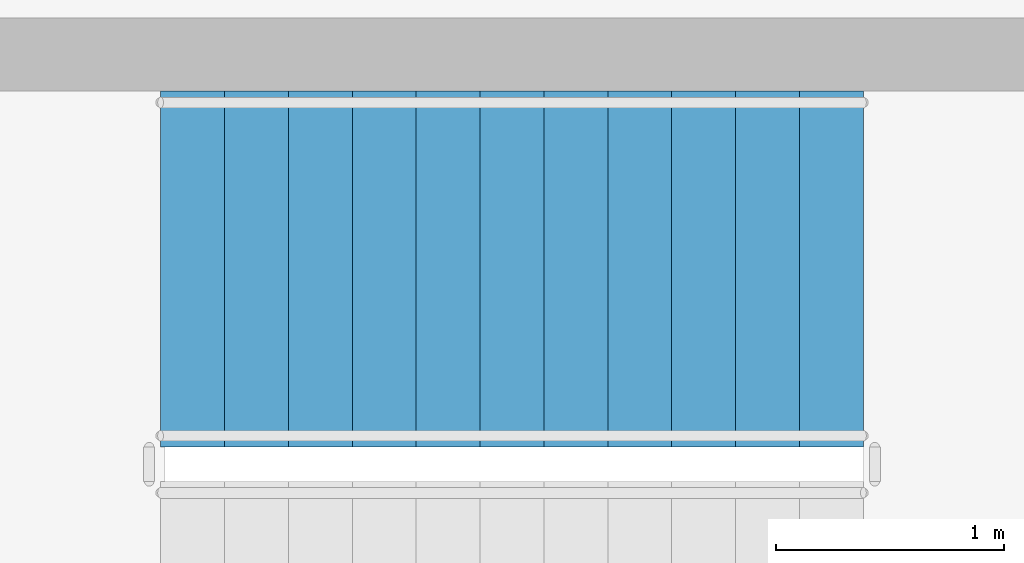
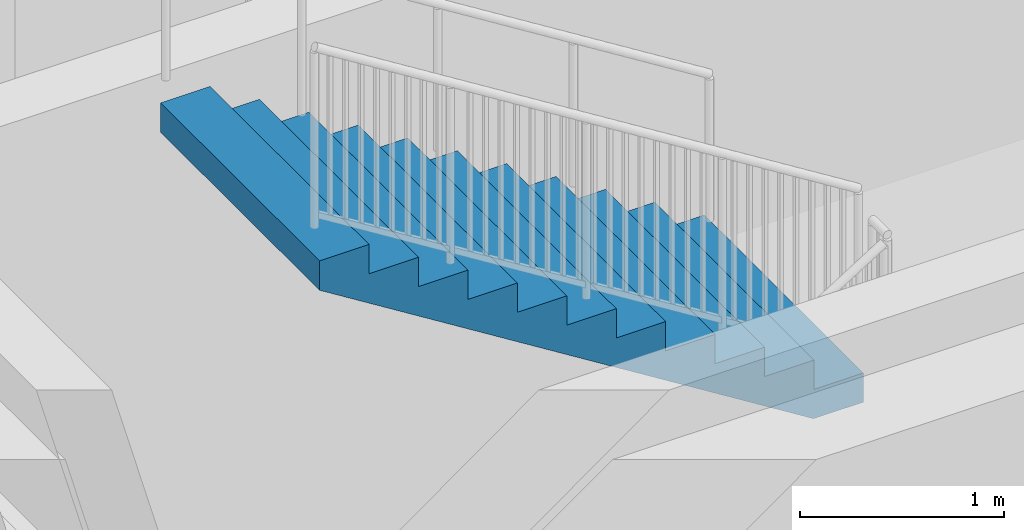
# One storey, part 45 of 63: 1 stair flight, 1 element without a shape of its own.
"""IFC4 building model written with IfcOpenShell, lengths in metres."""

from ifc_helpers import new_model, si_unit, direction, frame, origin, place, context, subcontext, project, spatial, polygons, material, type_object, element, aggregate, save


model = new_model("IFC4")

# Units and contexts
model_context = context("Model", 3, precision=1e-05, world=origin(), true_north=direction((0.0, 1.0)))
body_context = subcontext(model_context, "Body", "Model", "MODEL_VIEW")
ifc_project = project(units=[si_unit("LENGTHUNIT", "METRE"), si_unit("AREAUNIT", "SQUARE_METRE"), si_unit("VOLUMEUNIT", "CUBIC_METRE"), si_unit("PLANEANGLEUNIT", "RADIAN"), si_unit("MASSUNIT", "GRAM", prefix="KILO")], contexts=[model_context])

# Site, building, storey
site_placement = place(None, origin())
site = spatial("IfcSite", under=ifc_project, at=site_placement, CompositionType="ELEMENT")
building_placement = place(site_placement, origin())
building = spatial("IfcBuilding", under=site, at=building_placement, Name="Zantavel Square City Hall", CompositionType="ELEMENT")
storey_placement = place(building_placement, frame((0.0, 0.0, 14.699951171875)))
storey = spatial("IfcBuildingStorey", under=building, at=storey_placement, Name="L04", CompositionType="ELEMENT", Elevation=14.699951171875)

# Stair, stair flight
ifc_material = material(Name="Concrete C35/45", Category="concrete")
stair_type = type_object("IfcStairType", Name="Enclosed Core Dogleg Stair L04 H4200", PredefinedType="HALF_TURN_STAIR", material=ifc_material)
stair_placement = place(storey_placement, origin())
stair = element("IfcStair", 1, at=stair_placement, inside=storey, type_object=stair_type, Name="L04 Exit Stair 5 Central West Core", PredefinedType="HALF_TURN_STAIR")
stair_flight_type = type_object("IfcStairFlightType", Name="Enclosed Core Stair Flight L04 W1560", PredefinedType="STRAIGHT", material=ifc_material)
stair_flight_placement = place(storey_placement, frame((69.110107421875, 63.889892578125, 2.10009765625), z_axis=(0.0, 0.0, 1.0), x_axis=(-1.0, 0.0, 0.0)))
stair_flight = element("IfcStairFlight", 2, at=stair_flight_placement, type_object=stair_flight_type, Name="ST5 flight 2", NumberOfRisers=12, NumberOfTreads=11, PredefinedType="STRAIGHT", RiserHeight=0.175, TreadLength=0.28, context=body_context, shape_type="Tessellation", body=[
    polygons([(0.28271484375, -0.780029296875, 0.0), (3.080078125, -0.780029296875, 1.748291015625), (3.080078125, -0.780029296875, 1.925048828125), (2.800048828125, -0.780029296875, 1.925048828125), (2.800048828125, -0.780029296875, 1.75), (2.52001953125, -0.780029296875, 1.75), (2.52001953125, -0.780029296875, 1.574951171875), (2.239990234375, -0.780029296875, 1.574951171875), (2.239990234375, -0.780029296875, 1.39990234375), (1.9599609375, -0.780029296875, 1.39990234375), (1.9599609375, -0.780029296875, 1.22509765625), (1.679931640625, -0.780029296875, 1.22509765625), (1.679931640625, -0.780029296875, 1.050048828125), (1.39990234375, -0.780029296875, 1.050048828125), (1.39990234375, -0.780029296875, 0.875), (1.1201171875, -0.780029296875, 0.875), (1.1201171875, -0.780029296875, 0.699951171875), (0.840087890625, -0.780029296875, 0.699951171875), (0.840087890625, -0.780029296875, 0.52490234375), (0.56005859375, -0.780029296875, 0.52490234375), (0.56005859375, -0.780029296875, 0.35009765625), (0.280029296875, -0.780029296875, 0.35009765625), (0.280029296875, -0.780029296875, 0.175048828125), (0.0, -0.780029296875, 0.175048828125), (0.0, -0.780029296875, 0.0), (0.28271484375, -0.5849609375, 0.0), (3.080078125, -0.5849609375, 1.748291015625), (3.080078125, -0.5849609375, 1.925048828125), (2.800048828125, -0.5849609375, 1.925048828125), (2.800048828125, -0.5849609375, 1.75), (2.52001953125, -0.5849609375, 1.75), (2.52001953125, -0.5849609375, 1.574951171875), (2.239990234375, -0.5849609375, 1.574951171875), (2.239990234375, -0.5849609375, 1.39990234375), (1.9599609375, -0.5849609375, 1.39990234375), (1.9599609375, -0.5849609375, 1.22509765625), (1.679931640625, -0.5849609375, 1.22509765625), (1.679931640625, -0.5849609375, 1.050048828125), (1.39990234375, -0.5849609375, 1.050048828125), (1.39990234375, -0.5849609375, 0.875), (1.1201171875, -0.5849609375, 0.875), (1.1201171875, -0.5849609375, 0.699951171875), (0.840087890625, -0.5849609375, 0.699951171875), (0.840087890625, -0.5849609375, 0.52490234375), (0.56005859375, -0.5849609375, 0.52490234375), (0.56005859375, -0.5849609375, 0.35009765625), (0.280029296875, -0.5849609375, 0.35009765625), (0.280029296875, -0.5849609375, 0.175048828125), (0.0, -0.5849609375, 0.175048828125), (0.0, -0.5849609375, 0.0), (0.28271484375, -0.39013671875, 0.0), (3.080078125, -0.39013671875, 1.748291015625), (3.080078125, -0.39013671875, 1.925048828125), (2.800048828125, -0.39013671875, 1.925048828125), (2.800048828125, -0.39013671875, 1.75), (2.52001953125, -0.39013671875, 1.75), (2.52001953125, -0.39013671875, 1.574951171875), (2.239990234375, -0.39013671875, 1.574951171875), (2.239990234375, -0.39013671875, 1.39990234375), (1.9599609375, -0.39013671875, 1.39990234375), (1.9599609375, -0.39013671875, 1.22509765625), (1.679931640625, -0.39013671875, 1.22509765625), (1.679931640625, -0.39013671875, 1.050048828125), (1.39990234375, -0.39013671875, 1.050048828125), (1.39990234375, -0.39013671875, 0.875), (1.1201171875, -0.39013671875, 0.875), (1.1201171875, -0.39013671875, 0.699951171875), (0.840087890625, -0.39013671875, 0.699951171875), (0.840087890625, -0.39013671875, 0.52490234375), (0.56005859375, -0.39013671875, 0.52490234375), (0.56005859375, -0.39013671875, 0.35009765625), (0.280029296875, -0.39013671875, 0.35009765625), (0.280029296875, -0.39013671875, 0.175048828125), (0.0, -0.39013671875, 0.175048828125), (0.0, -0.39013671875, 0.0), (0.28271484375, -0.195068359375, 0.0), (3.080078125, -0.195068359375, 1.748291015625), (3.080078125, -0.195068359375, 1.925048828125), (2.800048828125, -0.195068359375, 1.925048828125), (2.800048828125, -0.195068359375, 1.75), (2.52001953125, -0.195068359375, 1.75), (2.52001953125, -0.195068359375, 1.574951171875), (2.239990234375, -0.195068359375, 1.574951171875), (2.239990234375, -0.195068359375, 1.39990234375), (1.9599609375, -0.195068359375, 1.39990234375), (1.9599609375, -0.195068359375, 1.22509765625), (1.679931640625, -0.195068359375, 1.22509765625), (1.679931640625, -0.195068359375, 1.050048828125), (1.39990234375, -0.195068359375, 1.050048828125), (1.39990234375, -0.195068359375, 0.875), (1.1201171875, -0.195068359375, 0.875), (1.1201171875, -0.195068359375, 0.699951171875), (0.840087890625, -0.195068359375, 0.699951171875), (0.840087890625, -0.195068359375, 0.52490234375), (0.56005859375, -0.195068359375, 0.52490234375), (0.56005859375, -0.195068359375, 0.35009765625), (0.280029296875, -0.195068359375, 0.35009765625), (0.280029296875, -0.195068359375, 0.175048828125), (0.0, -0.195068359375, 0.175048828125), (0.0, -0.195068359375, 0.0), (0.28271484375, 0.0, 0.0), (3.080078125, 0.0, 1.748291015625), (3.080078125, 0.0, 1.925048828125), (2.800048828125, 0.0, 1.925048828125), (2.800048828125, 0.0, 1.75), (2.52001953125, 0.0, 1.75), (2.52001953125, 0.0, 1.574951171875), (2.239990234375, 0.0, 1.574951171875), (2.239990234375, 0.0, 1.39990234375), (1.9599609375, 0.0, 1.39990234375), (1.9599609375, 0.0, 1.22509765625), (1.679931640625, 0.0, 1.22509765625), (1.679931640625, 0.0, 1.050048828125), (1.39990234375, 0.0, 1.050048828125), (1.39990234375, 0.0, 0.875), (1.1201171875, 0.0, 0.875), (1.1201171875, 0.0, 0.699951171875), (0.840087890625, 0.0, 0.699951171875), (0.840087890625, 0.0, 0.52490234375), (0.56005859375, 0.0, 0.52490234375), (0.56005859375, 0.0, 0.35009765625), (0.280029296875, 0.0, 0.35009765625), (0.280029296875, 0.0, 0.175048828125), (0.0, 0.0, 0.175048828125), (0.0, 0.0, 0.0), (0.28271484375, 0.195068359375, 0.0), (3.080078125, 0.195068359375, 1.748291015625), (3.080078125, 0.195068359375, 1.925048828125), (2.800048828125, 0.195068359375, 1.925048828125), (2.800048828125, 0.195068359375, 1.75), (2.52001953125, 0.195068359375, 1.75), (2.52001953125, 0.195068359375, 1.574951171875), (2.239990234375, 0.195068359375, 1.574951171875), (2.239990234375, 0.195068359375, 1.39990234375), (1.9599609375, 0.195068359375, 1.39990234375), (1.9599609375, 0.195068359375, 1.22509765625), (1.679931640625, 0.195068359375, 1.22509765625), (1.679931640625, 0.195068359375, 1.050048828125), (1.39990234375, 0.195068359375, 1.050048828125), (1.39990234375, 0.195068359375, 0.875), (1.1201171875, 0.195068359375, 0.875), (1.1201171875, 0.195068359375, 0.699951171875), (0.840087890625, 0.195068359375, 0.699951171875), (0.840087890625, 0.195068359375, 0.52490234375), (0.56005859375, 0.195068359375, 0.52490234375), (0.56005859375, 0.195068359375, 0.35009765625), (0.280029296875, 0.195068359375, 0.35009765625), (0.280029296875, 0.195068359375, 0.175048828125), (0.0, 0.195068359375, 0.175048828125), (0.0, 0.195068359375, 0.0), (0.28271484375, 0.39013671875, 0.0), (3.080078125, 0.39013671875, 1.748291015625), (3.080078125, 0.39013671875, 1.925048828125), (2.800048828125, 0.39013671875, 1.925048828125), (2.800048828125, 0.39013671875, 1.75), (2.52001953125, 0.39013671875, 1.75), (2.52001953125, 0.39013671875, 1.574951171875), (2.239990234375, 0.39013671875, 1.574951171875), (2.239990234375, 0.39013671875, 1.39990234375), (1.9599609375, 0.39013671875, 1.39990234375), (1.9599609375, 0.39013671875, 1.22509765625), (1.679931640625, 0.39013671875, 1.22509765625), (1.679931640625, 0.39013671875, 1.050048828125), (1.39990234375, 0.39013671875, 1.050048828125), (1.39990234375, 0.39013671875, 0.875), (1.1201171875, 0.39013671875, 0.875), (1.1201171875, 0.39013671875, 0.699951171875), (0.840087890625, 0.39013671875, 0.699951171875), (0.840087890625, 0.39013671875, 0.52490234375), (0.56005859375, 0.39013671875, 0.52490234375), (0.56005859375, 0.39013671875, 0.35009765625), (0.280029296875, 0.39013671875, 0.35009765625), (0.280029296875, 0.39013671875, 0.175048828125), (0.0, 0.39013671875, 0.175048828125), (0.0, 0.39013671875, 0.0), (0.28271484375, 0.5849609375, 0.0), (3.080078125, 0.5849609375, 1.748291015625), (3.080078125, 0.5849609375, 1.925048828125), (2.800048828125, 0.5849609375, 1.925048828125), (2.800048828125, 0.5849609375, 1.75), (2.52001953125, 0.5849609375, 1.75), (2.52001953125, 0.5849609375, 1.574951171875), (2.239990234375, 0.5849609375, 1.574951171875), (2.239990234375, 0.5849609375, 1.39990234375), (1.9599609375, 0.5849609375, 1.39990234375), (1.9599609375, 0.5849609375, 1.22509765625), (1.679931640625, 0.5849609375, 1.22509765625), (1.679931640625, 0.5849609375, 1.050048828125), (1.39990234375, 0.5849609375, 1.050048828125), (1.39990234375, 0.5849609375, 0.875), (1.1201171875, 0.5849609375, 0.875), (1.1201171875, 0.5849609375, 0.699951171875), (0.840087890625, 0.5849609375, 0.699951171875), (0.840087890625, 0.5849609375, 0.52490234375), (0.56005859375, 0.5849609375, 0.52490234375), (0.56005859375, 0.5849609375, 0.35009765625), (0.280029296875, 0.5849609375, 0.35009765625), (0.280029296875, 0.5849609375, 0.175048828125), (0.0, 0.5849609375, 0.175048828125), (0.0, 0.5849609375, 0.0), (0.28271484375, 0.780029296875, 0.0), (3.080078125, 0.780029296875, 1.748291015625), (3.080078125, 0.780029296875, 1.925048828125), (2.800048828125, 0.780029296875, 1.925048828125), (2.800048828125, 0.780029296875, 1.75), (2.52001953125, 0.780029296875, 1.75), (2.52001953125, 0.780029296875, 1.574951171875), (2.239990234375, 0.780029296875, 1.574951171875), (2.239990234375, 0.780029296875, 1.39990234375), (1.9599609375, 0.780029296875, 1.39990234375), (1.9599609375, 0.780029296875, 1.22509765625), (1.679931640625, 0.780029296875, 1.22509765625), (1.679931640625, 0.780029296875, 1.050048828125), (1.39990234375, 0.780029296875, 1.050048828125), (1.39990234375, 0.780029296875, 0.875), (1.1201171875, 0.780029296875, 0.875), (1.1201171875, 0.780029296875, 0.699951171875), (0.840087890625, 0.780029296875, 0.699951171875), (0.840087890625, 0.780029296875, 0.52490234375), (0.56005859375, 0.780029296875, 0.52490234375), (0.56005859375, 0.780029296875, 0.35009765625), (0.280029296875, 0.780029296875, 0.35009765625), (0.280029296875, 0.780029296875, 0.175048828125), (0.0, 0.780029296875, 0.175048828125), (0.0, 0.780029296875, 0.0)], [[[1, 2, 3, 4, 5, 6, 7, 8, 9, 10, 11, 12, 13, 14, 15, 16, 17, 18, 19, 20, 21, 22, 23, 24, 25]], [[225, 224, 223, 222, 221, 220, 219, 218, 217, 216, 215, 214, 213, 212, 211, 210, 209, 208, 207, 206, 205, 204, 203, 202, 201]], [[1, 26, 27]], [[1, 27, 2]], [[2, 27, 28]], [[2, 28, 3]], [[3, 28, 29]], [[3, 29, 4]], [[4, 29, 30]], [[4, 30, 5]], [[5, 30, 31]], [[5, 31, 6]], [[6, 31, 32]], [[6, 32, 7]], [[7, 32, 33]], [[7, 33, 8]], [[8, 33, 34]], [[8, 34, 9]], [[9, 34, 35]], [[9, 35, 10]], [[10, 35, 36]], [[10, 36, 11]], [[11, 36, 37]], [[11, 37, 12]], [[12, 37, 38]], [[12, 38, 13]], [[13, 38, 39]], [[13, 39, 14]], [[14, 39, 40]], [[14, 40, 15]], [[15, 40, 41]], [[15, 41, 16]], [[16, 41, 42]], [[16, 42, 17]], [[17, 42, 43]], [[17, 43, 18]], [[18, 43, 44]], [[18, 44, 19]], [[19, 44, 45]], [[19, 45, 20]], [[20, 45, 46]], [[20, 46, 21]], [[21, 46, 47]], [[21, 47, 22]], [[22, 47, 48]], [[22, 48, 23]], [[23, 48, 49]], [[23, 49, 24]], [[24, 49, 50]], [[24, 50, 25]], [[25, 50, 26]], [[25, 26, 1]], [[26, 51, 52]], [[26, 52, 27]], [[27, 52, 53]], [[27, 53, 28]], [[28, 53, 54]], [[28, 54, 29]], [[29, 54, 55]], [[29, 55, 30]], [[30, 55, 56]], [[30, 56, 31]], [[31, 56, 57]], [[31, 57, 32]], [[32, 57, 58]], [[32, 58, 33]], [[33, 58, 59]], [[33, 59, 34]], [[34, 59, 60]], [[34, 60, 35]], [[35, 60, 61]], [[35, 61, 36]], [[36, 61, 62]], [[36, 62, 37]], [[37, 62, 63]], [[37, 63, 38]], [[38, 63, 64]], [[38, 64, 39]], [[39, 64, 65]], [[39, 65, 40]], [[40, 65, 66]], [[40, 66, 41]], [[41, 66, 67]], [[41, 67, 42]], [[42, 67, 68]], [[42, 68, 43]], [[43, 68, 69]], [[43, 69, 44]], [[44, 69, 70]], [[44, 70, 45]], [[45, 70, 71]], [[45, 71, 46]], [[46, 71, 72]], [[46, 72, 47]], [[47, 72, 73]], [[47, 73, 48]], [[48, 73, 74]], [[48, 74, 49]], [[49, 74, 75]], [[49, 75, 50]], [[50, 75, 51]], [[50, 51, 26]], [[51, 76, 77]], [[51, 77, 52]], [[52, 77, 78]], [[52, 78, 53]], [[53, 78, 79]], [[53, 79, 54]], [[54, 79, 80]], [[54, 80, 55]], [[55, 80, 81]], [[55, 81, 56]], [[56, 81, 82]], [[56, 82, 57]], [[57, 82, 83]], [[57, 83, 58]], [[58, 83, 84]], [[58, 84, 59]], [[59, 84, 85]], [[59, 85, 60]], [[60, 85, 86]], [[60, 86, 61]], [[61, 86, 87]], [[61, 87, 62]], [[62, 87, 88]], [[62, 88, 63]], [[63, 88, 89]], [[63, 89, 64]], [[64, 89, 90]], [[64, 90, 65]], [[65, 90, 91]], [[65, 91, 66]], [[66, 91, 92]], [[66, 92, 67]], [[67, 92, 93]], [[67, 93, 68]], [[68, 93, 94]], [[68, 94, 69]], [[69, 94, 95]], [[69, 95, 70]], [[70, 95, 96]], [[70, 96, 71]], [[71, 96, 97]], [[71, 97, 72]], [[72, 97, 98]], [[72, 98, 73]], [[73, 98, 99]], [[73, 99, 74]], [[74, 99, 100]], [[74, 100, 75]], [[75, 100, 76]], [[75, 76, 51]], [[76, 101, 102]], [[76, 102, 77]], [[77, 102, 103]], [[77, 103, 78]], [[78, 103, 104]], [[78, 104, 79]], [[79, 104, 105]], [[79, 105, 80]], [[80, 105, 106]], [[80, 106, 81]], [[81, 106, 107]], [[81, 107, 82]], [[82, 107, 108]], [[82, 108, 83]], [[83, 108, 109]], [[83, 109, 84]], [[84, 109, 110]], [[84, 110, 85]], [[85, 110, 111]], [[85, 111, 86]], [[86, 111, 112]], [[86, 112, 87]], [[87, 112, 113]], [[87, 113, 88]], [[88, 113, 114]], [[88, 114, 89]], [[89, 114, 115]], [[89, 115, 90]], [[90, 115, 116]], [[90, 116, 91]], [[91, 116, 117]], [[91, 117, 92]], [[92, 117, 118]], [[92, 118, 93]], [[93, 118, 119]], [[93, 119, 94]], [[94, 119, 120]], [[94, 120, 95]], [[95, 120, 121]], [[95, 121, 96]], [[96, 121, 122]], [[96, 122, 97]], [[97, 122, 123]], [[97, 123, 98]], [[98, 123, 124]], [[98, 124, 99]], [[99, 124, 125]], [[99, 125, 100]], [[100, 125, 101]], [[100, 101, 76]], [[101, 126, 102]], [[126, 127, 102]], [[102, 127, 103]], [[127, 128, 103]], [[103, 128, 104]], [[128, 129, 104]], [[104, 129, 105]], [[129, 130, 105]], [[105, 130, 106]], [[130, 131, 106]], [[106, 131, 107]], [[131, 132, 107]], [[107, 132, 108]], [[132, 133, 108]], [[108, 133, 109]], [[133, 134, 109]], [[109, 134, 110]], [[134, 135, 110]], [[110, 135, 111]], [[135, 136, 111]], [[111, 136, 112]], [[136, 137, 112]], [[112, 137, 113]], [[137, 138, 113]], [[113, 138, 114]], [[138, 139, 114]], [[114, 139, 115]], [[139, 140, 115]], [[115, 140, 116]], [[140, 141, 116]], [[116, 141, 117]], [[141, 142, 117]], [[117, 142, 118]], [[142, 143, 118]], [[118, 143, 119]], [[143, 144, 119]], [[119, 144, 120]], [[144, 145, 120]], [[120, 145, 121]], [[145, 146, 121]], [[121, 146, 122]], [[146, 147, 122]], [[122, 147, 123]], [[147, 148, 123]], [[123, 148, 124]], [[148, 149, 124]], [[124, 149, 125]], [[149, 150, 125]], [[125, 150, 101]], [[150, 126, 101]], [[126, 151, 127]], [[151, 152, 127]], [[127, 152, 128]], [[152, 153, 128]], [[128, 153, 129]], [[153, 154, 129]], [[129, 154, 130]], [[154, 155, 130]], [[130, 155, 131]], [[155, 156, 131]], [[131, 156, 132]], [[156, 157, 132]], [[132, 157, 133]], [[157, 158, 133]], [[133, 158, 134]], [[158, 159, 134]], [[134, 159, 135]], [[159, 160, 135]], [[135, 160, 136]], [[160, 161, 136]], [[136, 161, 137]], [[161, 162, 137]], [[137, 162, 138]], [[162, 163, 138]], [[138, 163, 139]], [[163, 164, 139]], [[139, 164, 140]], [[164, 165, 140]], [[140, 165, 141]], [[165, 166, 141]], [[141, 166, 142]], [[166, 167, 142]], [[142, 167, 143]], [[167, 168, 143]], [[143, 168, 144]], [[168, 169, 144]], [[144, 169, 145]], [[169, 170, 145]], [[145, 170, 146]], [[170, 171, 146]], [[146, 171, 147]], [[171, 172, 147]], [[147, 172, 148]], [[172, 173, 148]], [[148, 173, 149]], [[173, 174, 149]], [[149, 174, 150]], [[174, 175, 150]], [[150, 175, 126]], [[175, 151, 126]], [[151, 176, 152]], [[176, 177, 152]], [[152, 177, 153]], [[177, 178, 153]], [[153, 178, 154]], [[178, 179, 154]], [[154, 179, 155]], [[179, 180, 155]], [[155, 180, 156]], [[180, 181, 156]], [[156, 181, 157]], [[181, 182, 157]], [[157, 182, 158]], [[182, 183, 158]], [[158, 183, 159]], [[183, 184, 159]], [[159, 184, 160]], [[184, 185, 160]], [[160, 185, 161]], [[185, 186, 161]], [[161, 186, 162]], [[186, 187, 162]], [[162, 187, 163]], [[187, 188, 163]], [[163, 188, 164]], [[188, 189, 164]], [[164, 189, 165]], [[189, 190, 165]], [[165, 190, 166]], [[190, 191, 166]], [[166, 191, 167]], [[191, 192, 167]], [[167, 192, 168]], [[192, 193, 168]], [[168, 193, 169]], [[193, 194, 169]], [[169, 194, 170]], [[194, 195, 170]], [[170, 195, 171]], [[195, 196, 171]], [[171, 196, 172]], [[196, 197, 172]], [[172, 197, 173]], [[197, 198, 173]], [[173, 198, 174]], [[198, 199, 174]], [[174, 199, 175]], [[199, 200, 175]], [[175, 200, 151]], [[200, 176, 151]], [[176, 201, 177]], [[201, 202, 177]], [[177, 202, 178]], [[202, 203, 178]], [[178, 203, 179]], [[203, 204, 179]], [[179, 204, 180]], [[204, 205, 180]], [[180, 205, 181]], [[205, 206, 181]], [[181, 206, 182]], [[206, 207, 182]], [[182, 207, 183]], [[207, 208, 183]], [[183, 208, 184]], [[208, 209, 184]], [[184, 209, 185]], [[209, 210, 185]], [[185, 210, 186]], [[210, 211, 186]], [[186, 211, 187]], [[211, 212, 187]], [[187, 212, 188]], [[212, 213, 188]], [[188, 213, 189]], [[213, 214, 189]], [[189, 214, 190]], [[214, 215, 190]], [[190, 215, 191]], [[215, 216, 191]], [[191, 216, 192]], [[216, 217, 192]], [[192, 217, 193]], [[217, 218, 193]], [[193, 218, 194]], [[218, 219, 194]], [[194, 219, 195]], [[219, 220, 195]], [[195, 220, 196]], [[220, 221, 196]], [[196, 221, 197]], [[221, 222, 197]], [[197, 222, 198]], [[222, 223, 198]], [[198, 223, 199]], [[223, 224, 199]], [[199, 224, 200]], [[224, 225, 200]], [[200, 225, 176]], [[225, 201, 176]]], closed=True),
])
aggregate(stair, [stair_flight])

save(model, "model.ifc")
